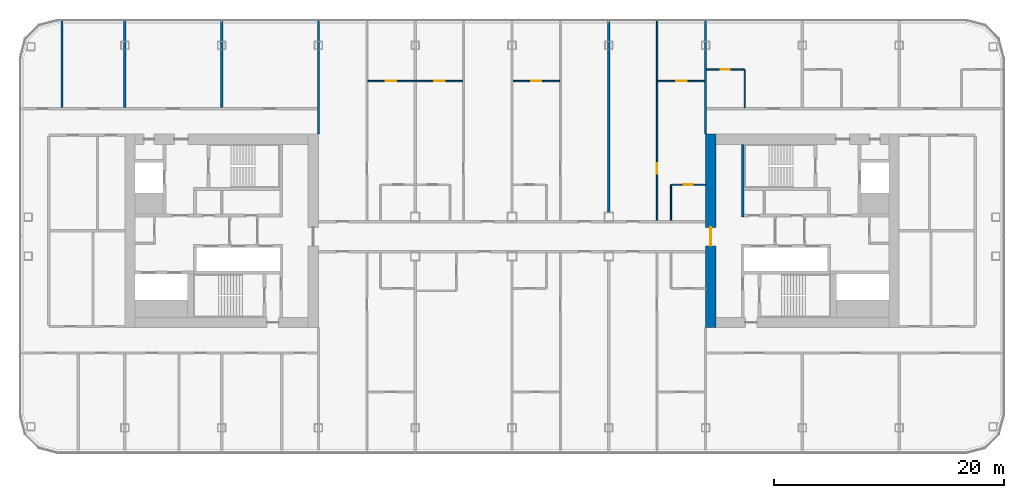
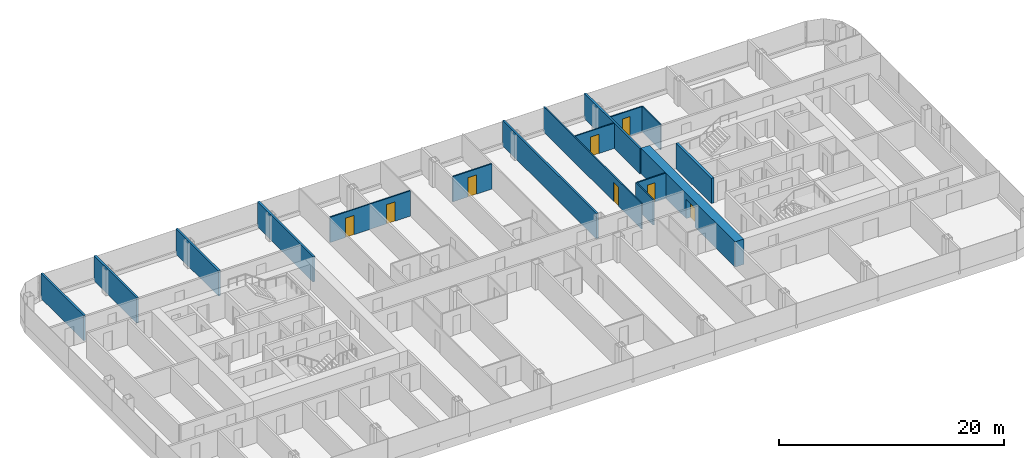
# One storey, part 15 of 26: 16 walls, 8 doors, 8 openings.
"""IFC4 building model written with IfcOpenShell, lengths in metres."""

import ifcopenshell
import ifcopenshell.guid

model = None  # the IFC model being written
_history = None  # IfcOwnerHistory: only IFC2X3 demands one
_inside = {}  # id of a spatial element -> (the spatial element, [elements in it])
_under = {}  # id of a project, library or spatial element -> (it, [spatial elements below it])
_declared = {}  # id of a project -> (the project, [libraries it declares])
_typed = {}  # id of a type object -> (the type object, [elements of that type])
_made_of = {}  # id of a material, layer set ... -> (it, [elements and type objects made of it])


def new_model(schema):
    """Start an empty IFC model of exactly this schema.

    Asked for "IFC4X3", IfcOpenShell would pick the latest addendum, in which some entities
    have other attributes; the version numbers below select the first issue.
    IFC2X3 requires an IfcOwnerHistory on every rooted entity: one is made here for all.
    """
    global model, _history
    if schema == "IFC4X3":
        model = ifcopenshell.file(schema_version=(4, 3, 0, 0))
    else:
        model = ifcopenshell.file(schema=schema)
    _inside.clear()
    _under.clear()
    _declared.clear()
    _typed.clear()
    _made_of.clear()
    _history = None
    if model.schema == "IFC2X3":
        org = make("IfcOrganization", Name="unknown")
        user = make(
            "IfcPersonAndOrganization",
            ThePerson=make("IfcPerson", FamilyName="unknown"),
            TheOrganization=org,
        )
        app = make(
            "IfcApplication",
            ApplicationDeveloper=org,
            Version="unknown",
            ApplicationFullName="unknown",
            ApplicationIdentifier="unknown",
        )
        _history = make(
            "IfcOwnerHistory",
            OwningUser=user,
            OwningApplication=app,
            ChangeAction="ADDED",
            CreationDate=0,
        )
    return model


def make(cls, **values):
    """One entity of the class cls with the attributes given. An attribute that is None is left unset."""
    return model.create_entity(
        cls, **{name: value for name, value in values.items() if value is not None}
    )


def rooted(cls, **values):
    """An entity with a GlobalId (a new one), such as an element, a storey or a relation."""
    return make(cls, GlobalId=ifcopenshell.guid.new(), OwnerHistory=_history, **values)


def si_unit(unit_type, name, prefix=None):
    """IfcSIUnit, for example si_unit("LENGTHUNIT", "METRE", prefix="MILLI")."""
    return make("IfcSIUnit", UnitType=unit_type, Prefix=prefix, Name=name)


def assignment(units):
    """IfcUnitAssignment: the units of a project."""
    return None if units is None else make("IfcUnitAssignment", Units=units)


def point(xyz):
    """IfcCartesianPoint."""
    return None if xyz is None else make("IfcCartesianPoint", Coordinates=xyz)


def direction(xyz):
    """IfcDirection."""
    return None if xyz is None else make("IfcDirection", DirectionRatios=xyz)


def frame(location, z_axis=None, x_axis=None):
    """IfcAxis2Placement3D, a coordinate frame: its origin and axes. An axis left out is left unset."""
    return make(
        "IfcAxis2Placement3D",
        Location=point(location),
        Axis=direction(z_axis),
        RefDirection=direction(x_axis),
    )


def frame_2d(location, x_axis=None):
    """IfcAxis2Placement2D, a coordinate frame in the plane: its origin and x axis."""
    return make(
        "IfcAxis2Placement2D", Location=point(location), RefDirection=direction(x_axis)
    )


def origin():
    """The frame at (0, 0, 0) with its axes left unset."""
    return frame((0.0, 0.0, 0.0))


def place(relative_to, where):
    """IfcLocalPlacement: puts the frame where relative to a parent placement (None: the world)."""
    return make(
        "IfcLocalPlacement", PlacementRelTo=relative_to, RelativePlacement=where
    )


def context(
    kind, dimensions, precision=None, world=None, true_north=None, identifier=None
):
    """IfcGeometricRepresentationContext, for example the 3D "Model" context."""
    return make(
        "IfcGeometricRepresentationContext",
        ContextIdentifier=identifier,
        ContextType=kind,
        CoordinateSpaceDimension=dimensions,
        Precision=precision,
        WorldCoordinateSystem=world,
        TrueNorth=true_north,
    )


def subcontext(parent, identifier, kind, view, scale=None):
    """IfcGeometricRepresentationSubContext, for example "Body" below "Model"."""
    return make(
        "IfcGeometricRepresentationSubContext",
        ContextIdentifier=identifier,
        ContextType=kind,
        ParentContext=parent,
        TargetScale=scale,
        TargetView=view,
    )


def project(units=None, contexts=None):
    """IfcProject with its units and contexts."""
    return rooted(
        "IfcProject",
        Name="project",
        RepresentationContexts=contexts,
        UnitsInContext=assignment(units),
    )


def spatial(cls, under=None, at=None, **own):
    """A site, building, storey or space (cls), placed at a placement, below another one or the project."""
    s = rooted(cls, ObjectPlacement=at, **own)
    if under is not None:
        _under.setdefault(under.id(), (under, []))[1].append(s)
    return s


def profile(cls, at=None, kind="AREA", **sizes):
    """A parametric profile (cls). Its sizes go by their IFC names, for example OverallWidth=200.0."""
    return make(cls, ProfileType=kind, Position=at, **sizes)


def rectangle(**sizes):
    """IfcRectangleProfileDef."""
    return profile("IfcRectangleProfileDef", **sizes)


def extrude(swept, where, along, depth):
    """IfcExtrudedAreaSolid: the profile swept, set in the frame where, extruded along a direction by depth."""
    return make(
        "IfcExtrudedAreaSolid",
        SweptArea=swept,
        Position=where,
        ExtrudedDirection=direction(along),
        Depth=depth,
    )


def shape(context_of_items, identifier, shape_type, items):
    """IfcShapeRepresentation: the items that make up one representation, for example the "Body"."""
    return make(
        "IfcShapeRepresentation",
        ContextOfItems=context_of_items,
        RepresentationIdentifier=identifier,
        RepresentationType=shape_type,
        Items=items,
    )


def material(Name=None, Category=None):
    """IfcMaterial."""
    return make("IfcMaterial", Name=Name, Category=Category)


def layer(
    of_material, thickness, ventilated=None, Name=None, Category=None, Priority=None
):
    """IfcMaterialLayer: one layer of a wall or slab, of a material (None: an air gap)."""
    return make(
        "IfcMaterialLayer",
        Material=of_material,
        LayerThickness=thickness,
        IsVentilated=ventilated,
        Name=Name,
        Category=Category,
        Priority=Priority,
    )


def layer_set(layers, Name=None):
    """IfcMaterialLayerSet."""
    return make("IfcMaterialLayerSet", MaterialLayers=layers, LayerSetName=Name)


def made_of(thing, what):
    """Note that an element or type object is made of a material, layer set ...; save() writes the relation."""
    if what is not None:
        _made_of.setdefault(what.id(), (what, []))[1].append(thing)
    return thing


def type_object(cls, material=None, **own):
    """A type object (cls), such as IfcWallType, which elements share."""
    return made_of(rooted(cls, **own), material)


def element(
    cls,
    number,
    at=None,
    inside=None,
    cuts=None,
    type_object=None,
    material=None,
    context=None,
    identifier="Body",
    shape_type=None,
    held_by="IfcProductDefinitionShape",
    body=None,
    shapes=None,
    **own,
):
    """One element of the class cls, such as IfcWall. Its Tag is "e" and its number.

    at: its placement. inside: the storey or other place that contains it. cuts: it is an
    opening in that element (IfcRelVoidsElement). A single representation is given by context,
    identifier, shape_type and body (its items); several are given by shapes. held_by: the class
    of the entity that holds the representations. save() writes the other relations.
    """
    e = rooted(cls, Tag="e%d" % number, ObjectPlacement=at, **own)
    if body is not None:
        shapes = [shape(context, identifier, shape_type, body)]
    if shapes is not None:
        e.Representation = make(held_by, Representations=shapes)
    if inside is not None:
        _inside.setdefault(inside.id(), (inside, []))[1].append(e)
    if cuts is not None:
        rooted(
            "IfcRelVoidsElement", RelatingBuildingElement=cuts, RelatedOpeningElement=e
        )
    if type_object is not None:
        _typed.setdefault(type_object.id(), (type_object, []))[1].append(e)
    return made_of(e, material)


def fill(opening, filler):
    """IfcRelFillsElement: the door or window that sits in an opening."""
    return rooted(
        "IfcRelFillsElement",
        RelatingOpeningElement=opening,
        RelatedBuildingElement=filler,
    )


def aggregate(whole, parts):
    """IfcRelAggregates: a whole, such as a stair, and the parts it consists of."""
    return rooted("IfcRelAggregates", RelatingObject=whole, RelatedObjects=parts)


def save(model, path):
    """Write the relations noted so far, then the file.

    IfcRelAggregates (storeys below a building ...), IfcRelContainedInSpatialStructure (elements
    in a storey), IfcRelDefinesByType, IfcRelAssociatesMaterial and IfcRelDeclares: one each for
    every whole, place, type object, material and project.
    """
    for whole, parts in _under.values():
        aggregate(whole, parts)
    for where, things in _inside.values():
        rooted(
            "IfcRelContainedInSpatialStructure",
            RelatedElements=things,
            RelatingStructure=where,
        )
    for kind, things in _typed.values():
        rooted("IfcRelDefinesByType", RelatedObjects=things, RelatingType=kind)
    for what, things in _made_of.values():
        rooted("IfcRelAssociatesMaterial", RelatedObjects=things, RelatingMaterial=what)
    for by, libraries in _declared.values():
        rooted("IfcRelDeclares", RelatingContext=by, RelatedDefinitions=libraries)
    model.write(path)


model = new_model("IFC4")

# Units and contexts
model_context = context("Model", 3, precision=1e-05, world=origin(), true_north=direction((0.0, 1.0)))
body_context = subcontext(model_context, "Body", "Model", "MODEL_VIEW")
ifc_project = project(units=[si_unit("LENGTHUNIT", "METRE"), si_unit("AREAUNIT", "SQUARE_METRE"), si_unit("VOLUMEUNIT", "CUBIC_METRE"), si_unit("PLANEANGLEUNIT", "RADIAN"), si_unit("MASSUNIT", "GRAM", prefix="KILO")], contexts=[model_context])

# Site, building, storey
site_placement = place(None, origin())
site = spatial("IfcSite", under=ifc_project, at=site_placement, CompositionType="ELEMENT")
building_placement = place(site_placement, origin())
building = spatial("IfcBuilding", under=site, at=building_placement, Name="Hakoniwa Tower and Hamabe Station Hall", CompositionType="ELEMENT")
storey_placement = place(building_placement, frame((0.0, 0.0, 143.800048828125)))
storey = spatial("IfcBuildingStorey", under=building, at=storey_placement, Name="L40", CompositionType="ELEMENT", Elevation=143.800048828125)

# Wall, opening, door
ifc_material_1 = material(Name="Gypsum board partition", Category="gypsum")
ifc_layer_1 = layer(ifc_material_1, 0.125)
ifc_layer_set_1 = layer_set([ifc_layer_1], Name="Bathroom Partition 125")
wall_type_1 = type_object("IfcWallType", Name="Bathroom Partition 125", PredefinedType="PARTITIONING", material=ifc_layer_set_1)
wall_1_placement = place(storey_placement, frame((13.862548828125, 4.0, 0.0), z_axis=(0.0, 0.0, 1.0), x_axis=(1.0, 0.0, 0.0)))
wall_1 = element("IfcWall", 1, at=wall_1_placement, inside=storey, type_object=wall_type_1, Name="GW-L40-018", PredefinedType="PARTITIONING", context=body_context, shape_type="SweptSolid", body=[
    extrude(rectangle(XDim=2.947509765625, YDim=0.125, at=frame_2d((1.4736328125, 0.0))), origin(), (0.0, 0.0, 1.0), 2.75),
])
opening_1_placement = place(wall_1_placement, frame((1.03759765625, 0.0, 0.0)))
opening_1 = element("IfcOpeningElement", 2, at=opening_1_placement, cuts=wall_1, Name="Opening GD-G3E0-31", PredefinedType="OPENING", context=body_context, shape_type="SweptSolid", body=[
    extrude(rectangle(XDim=0.800048828125, YDim=2.10009765625, at=frame_2d((0.39990234375, 1.050048828125))), frame((0.0, 0.072509765625, 0.0), z_axis=(0.0, -1.0, 0.0), x_axis=(1.0, 0.0, 0.0)), (0.0, 0.0, 1.0), 0.14501953125),
])
ifc_material_2 = material(Name="Timber door leaf", Category="wood")
door_type_1 = type_object("IfcDoorType", Name="Bathroom Door 800", OperationType="SINGLE_SWING_LEFT", PredefinedType="DOOR", material=ifc_material_2)
door_1_placement = place(opening_1_placement, origin())
door_1 = element("IfcDoor", 3, at=door_1_placement, inside=storey, type_object=door_type_1, Name="Door GD-G3E0-31", OperationType="SINGLE_SWING_LEFT", OverallHeight=2.10009765625, OverallWidth=0.800048828125, PredefinedType="DOOR", context=body_context, shape_type="SweptSolid", body=[
    extrude(rectangle(XDim=0.800048828125, YDim=2.10009765625, at=frame_2d((0.39990234375, 1.050048828125))), frame((0.0, 0.02490234375, 0.0), z_axis=(0.0, -1.0, 0.0), x_axis=(1.0, 0.0, 0.0)), (0.0, 0.0, 1.0), 0.050048828125),
])
fill(opening_1, door_1)

wall_2_placement = place(storey_placement, frame((16.89990234375, 14.0, 0.0), z_axis=(0.0, 0.0, 1.0), x_axis=(1.0, 0.0, 0.0)))
wall_2 = element("IfcWall", 4, at=wall_2_placement, inside=storey, type_object=wall_type_1, Name="GW-L40-026", PredefinedType="PARTITIONING", context=body_context, shape_type="SweptSolid", body=[
    extrude(rectangle(XDim=3.237548828125, YDim=0.125, at=frame_2d((1.61865234375, 0.0))), origin(), (0.0, 0.0, 1.0), 2.75),
])
opening_2_placement = place(wall_2_placement, frame((1.199951171875, 0.0, 0.0)))
opening_2 = element("IfcOpeningElement", 5, at=opening_2_placement, cuts=wall_2, Name="Opening GD-G3E0-47", PredefinedType="OPENING", context=body_context, shape_type="SweptSolid", body=[
    extrude(rectangle(XDim=0.800048828125, YDim=2.10009765625, at=frame_2d((0.39990234375, 1.050048828125))), frame((0.0, 0.072509765625, 0.0), z_axis=(0.0, -1.0, 0.0), x_axis=(1.0, 0.0, 0.0)), (0.0, 0.0, 1.0), 0.14501953125),
])
door_2_placement = place(opening_2_placement, origin())
door_2 = element("IfcDoor", 6, at=door_2_placement, inside=storey, type_object=door_type_1, Name="Door GD-G3E0-47", OperationType="SINGLE_SWING_LEFT", OverallHeight=2.10009765625, OverallWidth=0.800048828125, PredefinedType="DOOR", context=body_context, shape_type="SweptSolid", body=[
    extrude(rectangle(XDim=0.800048828125, YDim=2.10009765625, at=frame_2d((0.39990234375, 1.050048828125))), frame((0.0, 0.02490234375, 0.0), z_axis=(0.0, -1.0, 0.0), x_axis=(1.0, 0.0, 0.0)), (0.0, 0.0, 1.0), 0.050048828125),
])
fill(opening_2, door_2)

# Walls
wall_3_placement = place(storey_placement, frame((13.800048828125, 0.89990234375, 0.0), z_axis=(0.0, 0.0, 1.0), x_axis=(0.0, 1.0, 0.0)))
element("IfcWall", 7, at=wall_3_placement, inside=storey, type_object=wall_type_1, Name="GW-L40-062", PredefinedType="PARTITIONING", context=body_context, shape_type="SweptSolid", body=[
    extrude(rectangle(XDim=3.10009765625, YDim=0.125, at=frame_2d((1.550048828125, 0.0))), origin(), (0.0, 0.0, 1.0), 2.75),
])
wall_4_placement = place(storey_placement, frame((20.199951171875, 10.699951171875, 0.0), z_axis=(0.0, 0.0, 1.0), x_axis=(0.0, 1.0, 0.0)))
element("IfcWall", 8, at=wall_4_placement, inside=storey, type_object=wall_type_1, Name="GW-L40-065", PredefinedType="PARTITIONING", context=body_context, shape_type="SweptSolid", body=[
    extrude(rectangle(XDim=3.300048828125, YDim=0.125, at=frame_2d((1.64990234375, 0.0))), origin(), (0.0, 0.0, 1.0), 2.75),
])

# Wall, opening, door
ifc_material_3 = material(Name="Concrete C66", Category="concrete")
ifc_layer_2 = layer(ifc_material_3, 0.89990234375)
ifc_layer_set_2 = layer_set([ifc_layer_2], Name="CORE WALL 900 C66")
wall_type_2 = type_object("IfcWallType", Name="CORE WALL 900 C66", PredefinedType="SHEAR", material=ifc_layer_set_2)
wall_5_placement = place(storey_placement, frame((17.25, -8.39990234375, 0.0), z_axis=(0.0, 0.0, 1.0), x_axis=(0.0, 1.0, 0.0)))
wall_5 = element("IfcWall", 9, at=wall_5_placement, inside=storey, type_object=wall_type_2, Name="Core wall INNER east", PredefinedType="SHEAR", context=body_context, shape_type="SweptSolid", body=[
    extrude(rectangle(XDim=16.7998046875, YDim=0.89990234375, at=frame_2d((8.39990234375, 0.0))), origin(), (0.0, 0.0, 1.0), 2.75),
])
opening_3_placement = place(wall_5_placement, frame((7.10009765625, 0.0, 0.0)))
opening_3 = element("IfcOpeningElement", 10, at=opening_3_placement, cuts=wall_5, Name="Opening CD-E-IN1-16", PredefinedType="OPENING", context=body_context, shape_type="SweptSolid", body=[
    extrude(rectangle(XDim=1.60009765625, YDim=2.10009765625, at=frame_2d((0.800048828125, 1.050048828125))), frame((0.0, 0.4599609375, 0.0), z_axis=(0.0, -1.0, 0.0), x_axis=(1.0, 0.0, 0.0)), (0.0, 0.0, 1.0), 0.919921875),
])
ifc_material_4 = material(Name="Steel fire door", Category="steel")
door_type_2 = type_object("IfcDoorType", Name="CORE DOOR 1600 FD60", OperationType="DOUBLE_DOOR_SINGLE_SWING", PredefinedType="DOOR", material=ifc_material_4)
door_3_placement = place(opening_3_placement, origin())
door_3 = element("IfcDoor", 11, at=door_3_placement, inside=storey, type_object=door_type_2, Name="Lift lobby door", OperationType="DOUBLE_DOOR_SINGLE_SWING", OverallHeight=2.10009765625, OverallWidth=1.60009765625, PredefinedType="DOOR", context=body_context, shape_type="SweptSolid", body=[
    extrude(rectangle(XDim=1.60009765625, YDim=2.10009765625, at=frame_2d((0.800048828125, 1.050048828125))), frame((0.0, 0.02490234375, 0.0), z_axis=(0.0, -1.0, 0.0), x_axis=(1.0, 0.0, 0.0)), (0.0, 0.0, 1.0), 0.050048828125),
])
fill(opening_3, door_3)

# Walls
ifc_material_5 = material(Name="Concrete C66", Category="concrete")
ifc_layer_3 = layer(ifc_material_5, 0.25)
ifc_layer_set_3 = layer_set([ifc_layer_3], Name="CORE WEB WALL 250 C66")
wall_type_3 = type_object("IfcWallType", Name="CORE WEB WALL 250 C66", PredefinedType="SHEAR", material=ifc_layer_set_3)
wall_6_placement = place(storey_placement, frame((20.02490234375, 1.199951171875, 0.0), z_axis=(0.0, 0.0, 1.0), x_axis=(0.0, 1.0, 0.0)))
element("IfcWall", 12, at=wall_6_placement, inside=storey, type_object=wall_type_3, Name="Core wall W1N east", PredefinedType="SHEAR", context=body_context, shape_type="SweptSolid", body=[
    extrude(rectangle(XDim=6.300048828125, YDim=0.25, at=frame_2d((3.14990234375, 0.0))), origin(), (0.0, 0.0, 1.0), 2.75),
])
ifc_material_6 = material(Name="Fire-rated gypsum board partition", Category="gypsum")
ifc_layer_4 = layer(ifc_material_6, 0.199951171875)
ifc_layer_set_4 = layer_set([ifc_layer_4], Name="Party Wall 200")
wall_type_4 = type_object("IfcWallType", Name="Party Wall 200", PredefinedType="PARTITIONING", material=ifc_layer_set_4)
for number, where, z_axis, x_axis, name in (
    (13, (-39.06005859375, 10.699951171875, 0.0), (0.0, 0.0, 1.0), (0.0, 1.0, 0.0), "GW-L40-030"),
    (14, (-33.60009765625, 10.699951171875, 0.0), (0.0, 0.0, 1.0), (0.0, 1.0, 0.0), "GW-L40-035"),
    (15, (-25.199951171875, 10.699951171875, 0.0), (0.0, 0.0, 1.0), (0.0, 1.0, 0.0), "GW-L40-038"),
):
    element("IfcWall", number, at=place(storey_placement, frame(where, z_axis=z_axis, x_axis=x_axis)), inside=storey, type_object=wall_type_4, Name=name, PredefinedType="PARTITIONING", context=body_context, shape_type="SweptSolid", body=[
        extrude(rectangle(XDim=7.60009765625, YDim=0.199951171875, at=frame_2d((3.800048828125, 0.0))), origin(), (0.0, 0.0, 1.0), 2.75),
    ])
wall_7_placement = place(storey_placement, frame((-16.800048828125, 8.389892578125, 0.0), z_axis=(0.0, 0.0, 1.0), x_axis=(0.0, 1.0, 0.0)))
element("IfcWall", 16, at=wall_7_placement, inside=storey, type_object=wall_type_4, Name="GW-L40-041", PredefinedType="PARTITIONING", context=body_context, shape_type="SweptSolid", body=[
    extrude(rectangle(XDim=9.91015625, YDim=0.199951171875, at=frame_2d((4.955078125, 0.0))), origin(), (0.0, 0.0, 1.0), 2.75),
])
wall_8_placement = place(storey_placement, frame((8.39990234375, 1.590087890625, 0.0), z_axis=(0.0, 0.0, 1.0), x_axis=(0.0, 1.0, 0.0)))
element("IfcWall", 17, at=wall_8_placement, inside=storey, type_object=wall_type_4, Name="GW-L40-058", PredefinedType="PARTITIONING", context=body_context, shape_type="SweptSolid", body=[
    extrude(rectangle(XDim=16.7099609375, YDim=0.199951171875, at=frame_2d((8.35498046875, 0.0))), origin(), (0.0, 0.0, 1.0), 2.75),
])
wall_9_placement = place(storey_placement, frame((16.800048828125, 8.389892578125, 0.0), z_axis=(0.0, 0.0, 1.0), x_axis=(0.0, 1.0, 0.0)))
element("IfcWall", 18, at=wall_9_placement, inside=storey, type_object=wall_type_4, Name="GW-L40-064", PredefinedType="PARTITIONING", context=body_context, shape_type="SweptSolid", body=[
    extrude(rectangle(XDim=9.91015625, YDim=0.199951171875, at=frame_2d((4.955078125, 0.0))), origin(), (0.0, 0.0, 1.0), 2.75),
])

# Wall, openings, doors
ifc_material_7 = material(Name="Gypsum board partition", Category="gypsum")
ifc_layer_5 = layer(ifc_material_7, 0.125)
ifc_layer_set_5 = layer_set([ifc_layer_5], Name="Room Partition 125")
wall_type_5 = type_object("IfcWallType", Name="Room Partition 125", PredefinedType="PARTITIONING", material=ifc_layer_set_5)
wall_10_placement = place(storey_placement, frame((-12.53759765625, 13.0, 0.0), z_axis=(0.0, 0.0, 1.0), x_axis=(1.0, 0.0, 0.0)))
wall_10 = element("IfcWall", 19, at=wall_10_placement, inside=storey, type_object=wall_type_5, Name="GW-L40-023", PredefinedType="PARTITIONING", context=body_context, shape_type="SweptSolid", body=[
    extrude(rectangle(XDim=8.275146484375, YDim=0.125, at=frame_2d((4.1376953125, 0.0))), origin(), (0.0, 0.0, 1.0), 2.75),
])
opening_4_placement = place(wall_10_placement, frame((1.58740234375, 0.0, 0.0)))
opening_4 = element("IfcOpeningElement", 20, at=opening_4_placement, cuts=wall_10, Name="Opening GD-G3E0-43", PredefinedType="OPENING", context=body_context, shape_type="SweptSolid", body=[
    extrude(rectangle(XDim=0.89990234375, YDim=2.10009765625, at=frame_2d((0.449951171875, 1.050048828125))), frame((0.0, 0.072509765625, 0.0), z_axis=(0.0, -1.0, 0.0), x_axis=(1.0, 0.0, 0.0)), (0.0, 0.0, 1.0), 0.14501953125),
])
opening_5_placement = place(wall_10_placement, frame((5.78759765625, 0.0, 0.0)))
opening_5 = element("IfcOpeningElement", 21, at=opening_5_placement, cuts=wall_10, Name="Opening GD-G3E0-44", PredefinedType="OPENING", context=body_context, shape_type="SweptSolid", body=[
    extrude(rectangle(XDim=0.89990234375, YDim=2.10009765625, at=frame_2d((0.449951171875, 1.050048828125))), frame((0.0, 0.072509765625, 0.0), z_axis=(0.0, -1.0, 0.0), x_axis=(1.0, 0.0, 0.0)), (0.0, 0.0, 1.0), 0.14501953125),
])
ifc_material_8 = material(Name="Timber door leaf", Category="wood")
door_type_3 = type_object("IfcDoorType", Name="Suite Interior Door 900", OperationType="SINGLE_SWING_LEFT", PredefinedType="DOOR", material=ifc_material_8)
door_4_placement = place(opening_4_placement, origin())
door_4 = element("IfcDoor", 22, at=door_4_placement, inside=storey, type_object=door_type_3, Name="Door GD-G3E0-43", OperationType="SINGLE_SWING_RIGHT", OverallHeight=2.10009765625, OverallWidth=0.89990234375, PredefinedType="DOOR", context=body_context, shape_type="SweptSolid", body=[
    extrude(rectangle(XDim=0.89990234375, YDim=2.10009765625, at=frame_2d((0.449951171875, 1.050048828125))), frame((0.0, 0.02490234375, 0.0), z_axis=(0.0, -1.0, 0.0), x_axis=(1.0, 0.0, 0.0)), (0.0, 0.0, 1.0), 0.050048828125),
])
fill(opening_4, door_4)
door_5_placement = place(opening_5_placement, origin())
door_5 = element("IfcDoor", 23, at=door_5_placement, inside=storey, type_object=door_type_3, Name="Door GD-G3E0-44", OperationType="SINGLE_SWING_LEFT", OverallHeight=2.10009765625, OverallWidth=0.89990234375, PredefinedType="DOOR", context=body_context, shape_type="SweptSolid", body=[
    extrude(rectangle(XDim=0.89990234375, YDim=2.10009765625, at=frame_2d((0.449951171875, 1.050048828125))), frame((0.0, 0.02490234375, 0.0), z_axis=(0.0, -1.0, 0.0), x_axis=(1.0, 0.0, 0.0)), (0.0, 0.0, 1.0), 0.050048828125),
])
fill(opening_5, door_5)

# Wall, opening, door
wall_11_placement = place(storey_placement, frame((0.10009765625, 13.0, 0.0), z_axis=(0.0, 0.0, 1.0), x_axis=(1.0, 0.0, 0.0)))
wall_11 = element("IfcWall", 24, at=wall_11_placement, inside=storey, type_object=wall_type_5, Name="GW-L40-024", PredefinedType="PARTITIONING", context=body_context, shape_type="SweptSolid", body=[
    extrude(rectangle(XDim=4.037353515625, YDim=0.125, at=frame_2d((2.0185546875, 0.0))), origin(), (0.0, 0.0, 1.0), 2.75),
])
opening_6_placement = place(wall_11_placement, frame((1.550048828125, 0.0, 0.0)))
opening_6 = element("IfcOpeningElement", 25, at=opening_6_placement, cuts=wall_11, Name="Opening GD-G3E0-45", PredefinedType="OPENING", context=body_context, shape_type="SweptSolid", body=[
    extrude(rectangle(XDim=0.89990234375, YDim=2.10009765625, at=frame_2d((0.449951171875, 1.050048828125))), frame((0.0, 0.072509765625, 0.0), z_axis=(0.0, -1.0, 0.0), x_axis=(1.0, 0.0, 0.0)), (0.0, 0.0, 1.0), 0.14501953125),
])
door_6_placement = place(opening_6_placement, origin())
door_6 = element("IfcDoor", 26, at=door_6_placement, inside=storey, type_object=door_type_3, Name="Door GD-G3E0-45", OperationType="SINGLE_SWING_RIGHT", OverallHeight=2.10009765625, OverallWidth=0.89990234375, PredefinedType="DOOR", context=body_context, shape_type="SweptSolid", body=[
    extrude(rectangle(XDim=0.89990234375, YDim=2.10009765625, at=frame_2d((0.449951171875, 1.050048828125))), frame((0.0, 0.02490234375, 0.0), z_axis=(0.0, -1.0, 0.0), x_axis=(1.0, 0.0, 0.0)), (0.0, 0.0, 1.0), 0.050048828125),
])
fill(opening_6, door_6)

wall_12_placement = place(storey_placement, frame((12.66259765625, 13.0, 0.0), z_axis=(0.0, 0.0, 1.0), x_axis=(1.0, 0.0, 0.0)))
wall_12 = element("IfcWall", 27, at=wall_12_placement, inside=storey, type_object=wall_type_5, Name="GW-L40-025", PredefinedType="PARTITIONING", context=body_context, shape_type="SweptSolid", body=[
    extrude(rectangle(XDim=4.037353515625, YDim=0.125, at=frame_2d((2.0185546875, 0.0))), origin(), (0.0, 0.0, 1.0), 2.75),
])
opening_7_placement = place(wall_12_placement, frame((1.58740234375, 0.0, 0.0)))
opening_7 = element("IfcOpeningElement", 28, at=opening_7_placement, cuts=wall_12, Name="Opening GD-G3E0-46", PredefinedType="OPENING", context=body_context, shape_type="SweptSolid", body=[
    extrude(rectangle(XDim=0.89990234375, YDim=2.10009765625, at=frame_2d((0.449951171875, 1.050048828125))), frame((0.0, 0.072509765625, 0.0), z_axis=(0.0, -1.0, 0.0), x_axis=(1.0, 0.0, 0.0)), (0.0, 0.0, 1.0), 0.14501953125),
])
door_7_placement = place(opening_7_placement, origin())
door_7 = element("IfcDoor", 29, at=door_7_placement, inside=storey, type_object=door_type_3, Name="Door GD-G3E0-46", OperationType="SINGLE_SWING_LEFT", OverallHeight=2.10009765625, OverallWidth=0.89990234375, PredefinedType="DOOR", context=body_context, shape_type="SweptSolid", body=[
    extrude(rectangle(XDim=0.89990234375, YDim=2.10009765625, at=frame_2d((0.449951171875, 1.050048828125))), frame((0.0, 0.02490234375, 0.0), z_axis=(0.0, -1.0, 0.0), x_axis=(1.0, 0.0, 0.0)), (0.0, 0.0, 1.0), 0.050048828125),
])
fill(opening_7, door_7)

wall_13_placement = place(storey_placement, frame((12.60009765625, 0.89990234375, 0.0), z_axis=(0.0, 0.0, 1.0), x_axis=(0.0, 1.0, 0.0)))
wall_13 = element("IfcWall", 30, at=wall_13_placement, inside=storey, type_object=wall_type_5, Name="GW-L40-060", PredefinedType="PARTITIONING", context=body_context, shape_type="SweptSolid", body=[
    extrude(rectangle(XDim=17.400146484375, YDim=0.125, at=frame_2d((8.7001953125, 0.0))), origin(), (0.0, 0.0, 1.0), 2.75),
])
opening_8_placement = place(wall_13_placement, frame((4.050048828125, 0.0, 0.0)))
opening_8 = element("IfcOpeningElement", 31, at=opening_8_placement, cuts=wall_13, Name="Opening GD-G3E0-57", PredefinedType="OPENING", context=body_context, shape_type="SweptSolid", body=[
    extrude(rectangle(XDim=0.89990234375, YDim=2.10009765625, at=frame_2d((0.449951171875, 1.050048828125))), frame((0.0, 0.072509765625, 0.0), z_axis=(0.0, -1.0, 0.0), x_axis=(1.0, 0.0, 0.0)), (0.0, 0.0, 1.0), 0.14501953125),
])
door_8_placement = place(opening_8_placement, origin())
door_8 = element("IfcDoor", 32, at=door_8_placement, inside=storey, type_object=door_type_3, Name="Door GD-G3E0-57", OperationType="SINGLE_SWING_RIGHT", OverallHeight=2.10009765625, OverallWidth=0.89990234375, PredefinedType="DOOR", context=body_context, shape_type="SweptSolid", body=[
    extrude(rectangle(XDim=0.89990234375, YDim=2.10009765625, at=frame_2d((0.449951171875, 1.050048828125))), frame((0.0, 0.02490234375, 0.0), z_axis=(0.0, -1.0, 0.0), x_axis=(1.0, 0.0, 0.0)), (0.0, 0.0, 1.0), 0.050048828125),
])
fill(opening_8, door_8)

save(model, "model.ifc")
